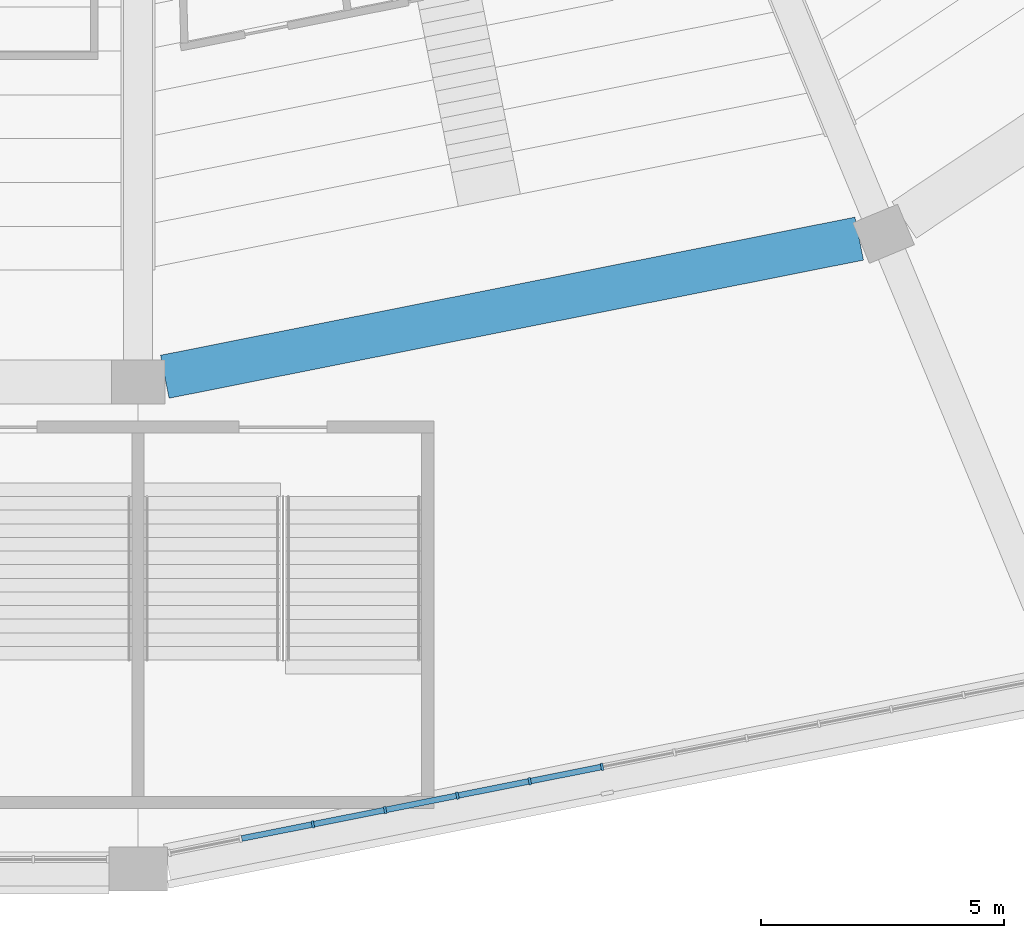
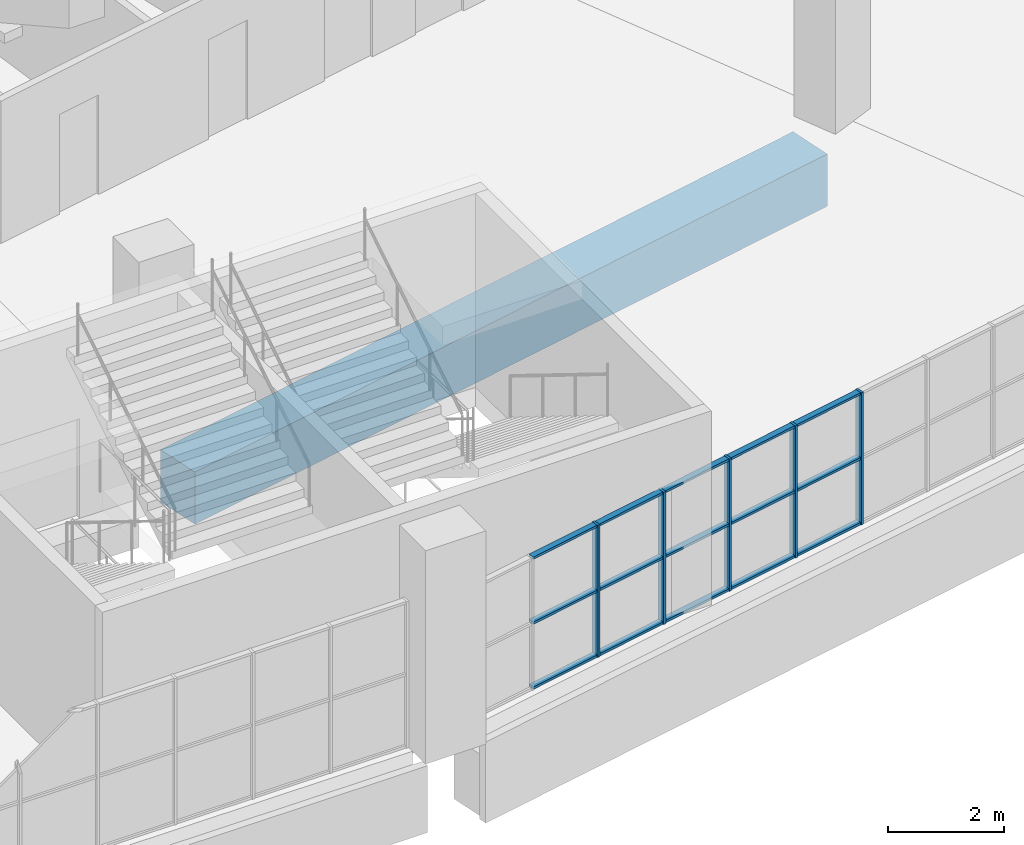
# One storey, part 16 of 249: 20 members, 1 beam, 1 element without a shape of its own.
"""IFC4 building model written with IfcOpenShell, lengths in metres."""

from ifc_helpers import new_model, si_unit, direction, frame, origin, origin_2d, place, context, subcontext, project, spatial, rectangle, extrude, material, material_profile, profile_set, type_object, element, aggregate, save


model = new_model("IFC4")

# Units and contexts
model_context = context("Model", 3, precision=1e-05, world=origin(), true_north=direction((0.0, 1.0)))
body_context = subcontext(model_context, "Body", "Model", "MODEL_VIEW")
ifc_project = project(units=[si_unit("LENGTHUNIT", "METRE"), si_unit("AREAUNIT", "SQUARE_METRE"), si_unit("VOLUMEUNIT", "CUBIC_METRE"), si_unit("PLANEANGLEUNIT", "RADIAN"), si_unit("MASSUNIT", "GRAM", prefix="KILO")], contexts=[model_context])

# Site, building, storey
site_placement = place(None, origin())
site = spatial("IfcSite", under=ifc_project, at=site_placement, CompositionType="ELEMENT")
building_placement = place(site_placement, origin())
building = spatial("IfcBuilding", under=site, at=building_placement, Name="Ogive Plaza Stadium", CompositionType="ELEMENT")
storey_placement = place(building_placement, frame((0.0, 0.0, 13.5)))
storey = spatial("IfcBuildingStorey", under=building, at=storey_placement, Name="L03", CompositionType="ELEMENT", Elevation=13.5)

# Curtain wall, members
ifc_material_1 = material(Name="Bronze-anodised aluminium with laminated glass", Category="aluminium")
curtain_wall_type = type_object("IfcCurtainWallType", Name="Lancet curtain wall", PredefinedType="NOTDEFINED", material=ifc_material_1)
curtain_wall_placement = place(storey_placement, origin())
curtain_wall = element("IfcCurtainWall", 1, at=curtain_wall_placement, inside=storey, type_object=curtain_wall_type, Name="CURTAIN WALL B11 L03", PredefinedType="NOTDEFINED")
ifc_material_2 = material(Name="Bronze-anodised aluminium", Category="aluminium")
ifc_material_profile_1 = material_profile(ifc_material_2, rectangle(XDim=0.14990234375, YDim=0.050048828125, at=origin_2d()), Name="AL 150x50")
ifc_profile_set_1 = profile_set([ifc_material_profile_1], Name="Bronze-anodised aluminium")
member_type_1 = type_object("IfcMemberType", Name="Curtain wall mullion 50x150", PredefinedType="MULLION", material=ifc_profile_set_1)
member_1_placement = place(storey_placement, frame((43.528076171875, -100.40087890625, 0.0), z_axis=(0.0, 0.0, 1.0), x_axis=(0.195090322016, -0.980785280403, 0.0)))
member_1 = element("IfcMember", 2, at=member_1_placement, type_object=member_type_1, Name="CW-B11-L03 mullion 7", PredefinedType="MULLION", context=body_context, shape_type="SweptSolid", body=[
    extrude(rectangle(XDim=0.14990234375, YDim=0.050048828125, at=origin_2d()), origin(), (0.0, 0.0, 1.0), 2.7900390625),
])
member_2_placement = place(storey_placement, frame((42.043212890625, -100.6962890625, 0.0), z_axis=(0.0, 0.0, 1.0), x_axis=(0.195090322016, -0.980785280403, 0.0)))
member_2 = element("IfcMember", 3, at=member_2_placement, type_object=member_type_1, Name="CW-B11-L03 mullion 8", PredefinedType="MULLION", context=body_context, shape_type="SweptSolid", body=[
    extrude(rectangle(XDim=0.14990234375, YDim=0.050048828125, at=origin_2d()), origin(), (0.0, 0.0, 1.0), 2.7900390625),
])
member_3_placement = place(storey_placement, frame((40.55859375, -100.991455078125, 0.0), z_axis=(0.0, 0.0, 1.0), x_axis=(0.195090322016, -0.980785280403, 0.0)))
member_3 = element("IfcMember", 4, at=member_3_placement, type_object=member_type_1, Name="CW-B11-L03 mullion 9", PredefinedType="MULLION", context=body_context, shape_type="SweptSolid", body=[
    extrude(rectangle(XDim=0.14990234375, YDim=0.050048828125, at=origin_2d()), origin(), (0.0, 0.0, 1.0), 2.7900390625),
])
member_4_placement = place(storey_placement, frame((39.07373046875, -101.286865234375, 0.0), z_axis=(0.0, 0.0, 1.0), x_axis=(0.195090322016, -0.980785280403, 0.0)))
member_4 = element("IfcMember", 5, at=member_4_placement, type_object=member_type_1, Name="CW-B11-L03 mullion 10", PredefinedType="MULLION", context=body_context, shape_type="SweptSolid", body=[
    extrude(rectangle(XDim=0.14990234375, YDim=0.050048828125, at=origin_2d()), origin(), (0.0, 0.0, 1.0), 2.7900390625),
])
member_5_placement = place(storey_placement, frame((37.589111328125, -101.582275390625, 0.0), z_axis=(0.0, 0.0, 1.0), x_axis=(0.195090322016, -0.980785280403, 0.0)))
member_5 = element("IfcMember", 6, at=member_5_placement, type_object=member_type_1, Name="CW-B11-L03 mullion 11", PredefinedType="MULLION", context=body_context, shape_type="SweptSolid", body=[
    extrude(rectangle(XDim=0.14990234375, YDim=0.050048828125, at=origin_2d()), origin(), (0.0, 0.0, 1.0), 2.7900390625),
])
ifc_material_3 = material(Name="Bronze-anodised aluminium", Category="aluminium")
ifc_material_profile_2 = material_profile(ifc_material_3, rectangle(XDim=0.1201171875, YDim=0.050048828125, at=origin_2d()), Name="AL 120x50")
ifc_profile_set_2 = profile_set([ifc_material_profile_2], Name="Bronze-anodised aluminium")
member_type_2 = type_object("IfcMemberType", Name="Curtain wall transom 50x120", PredefinedType="USERDEFINED", material=ifc_profile_set_2)
member_6_placement = place(storey_placement, frame((43.503662109375, -100.40576171875, 0.02490234375), z_axis=(-0.980779013771, -0.195121823859, 0.0), x_axis=(0.195121823859, -0.980779013771, 0.0)))
member_6 = element("IfcMember", 7, at=member_6_placement, type_object=member_type_2, Name="CW-B11-L03 transom 7.1", ObjectType="TRANSOM", PredefinedType="USERDEFINED", context=body_context, shape_type="SweptSolid", body=[
    extrude(rectangle(XDim=0.1201171875, YDim=0.050048828125, at=origin_2d()), origin(), (0.0, 0.0, 1.0), 1.4638671875),
])
member_7_placement = place(storey_placement, frame((43.503662109375, -100.40576171875, 1.39501953125), z_axis=(-0.980779013771, -0.195121823859, 0.0), x_axis=(0.195121823859, -0.980779013771, 0.0)))
member_7 = element("IfcMember", 8, at=member_7_placement, type_object=member_type_2, Name="CW-B11-L03 transom 7.2", ObjectType="TRANSOM", PredefinedType="USERDEFINED", context=body_context, shape_type="SweptSolid", body=[
    extrude(rectangle(XDim=0.1201171875, YDim=0.050048828125, at=origin_2d()), origin(), (0.0, 0.0, 1.0), 1.4638671875),
])
member_8_placement = place(storey_placement, frame((43.503662109375, -100.40576171875, 2.764892578125), z_axis=(-0.980779013771, -0.195121823859, 0.0), x_axis=(0.195121823859, -0.980779013771, 0.0)))
member_8 = element("IfcMember", 9, at=member_8_placement, type_object=member_type_2, Name="CW-B11-L03 transom 7.3", ObjectType="TRANSOM", PredefinedType="USERDEFINED", context=body_context, shape_type="SweptSolid", body=[
    extrude(rectangle(XDim=0.1201171875, YDim=0.050048828125, at=origin_2d()), origin(), (0.0, 0.0, 1.0), 1.4638671875),
])
member_9_placement = place(storey_placement, frame((42.018798828125, -100.700927734375, 0.02490234375), z_axis=(-0.980779013771, -0.195121823859, 0.0), x_axis=(0.195121823859, -0.980779013771, 0.0)))
member_9 = element("IfcMember", 10, at=member_9_placement, type_object=member_type_2, Name="CW-B11-L03 transom 8.1", ObjectType="TRANSOM", PredefinedType="USERDEFINED", context=body_context, shape_type="SweptSolid", body=[
    extrude(rectangle(XDim=0.1201171875, YDim=0.050048828125, at=origin_2d()), origin(), (0.0, 0.0, 1.0), 1.4638671875),
])
member_10_placement = place(storey_placement, frame((42.018798828125, -100.700927734375, 1.39501953125), z_axis=(-0.980779013771, -0.195121823859, 0.0), x_axis=(0.195121823859, -0.980779013771, 0.0)))
member_10 = element("IfcMember", 11, at=member_10_placement, type_object=member_type_2, Name="CW-B11-L03 transom 8.2", ObjectType="TRANSOM", PredefinedType="USERDEFINED", context=body_context, shape_type="SweptSolid", body=[
    extrude(rectangle(XDim=0.1201171875, YDim=0.050048828125, at=origin_2d()), origin(), (0.0, 0.0, 1.0), 1.4638671875),
])
member_11_placement = place(storey_placement, frame((42.018798828125, -100.700927734375, 2.764892578125), z_axis=(-0.980779013771, -0.195121823859, 0.0), x_axis=(0.195121823859, -0.980779013771, 0.0)))
member_11 = element("IfcMember", 12, at=member_11_placement, type_object=member_type_2, Name="CW-B11-L03 transom 8.3", ObjectType="TRANSOM", PredefinedType="USERDEFINED", context=body_context, shape_type="SweptSolid", body=[
    extrude(rectangle(XDim=0.1201171875, YDim=0.050048828125, at=origin_2d()), origin(), (0.0, 0.0, 1.0), 1.4638671875),
])
member_12_placement = place(storey_placement, frame((40.533935546875, -100.996337890625, 0.02490234375), z_axis=(-0.980772662828, -0.195153744134, 0.0), x_axis=(0.195153744134, -0.980772662828, 0.0)))
member_12 = element("IfcMember", 13, at=member_12_placement, type_object=member_type_2, Name="CW-B11-L03 transom 9.1", ObjectType="TRANSOM", PredefinedType="USERDEFINED", context=body_context, shape_type="SweptSolid", body=[
    extrude(rectangle(XDim=0.1201171875, YDim=0.050048828125, at=origin_2d()), origin(), (0.0, 0.0, 1.0), 1.463623046875),
])
member_13_placement = place(storey_placement, frame((40.533935546875, -100.996337890625, 1.39501953125), z_axis=(-0.980772662828, -0.195153744134, 0.0), x_axis=(0.195153744134, -0.980772662828, 0.0)))
member_13 = element("IfcMember", 14, at=member_13_placement, type_object=member_type_2, Name="CW-B11-L03 transom 9.2", ObjectType="TRANSOM", PredefinedType="USERDEFINED", context=body_context, shape_type="SweptSolid", body=[
    extrude(rectangle(XDim=0.1201171875, YDim=0.050048828125, at=origin_2d()), origin(), (0.0, 0.0, 1.0), 1.463623046875),
])
member_14_placement = place(storey_placement, frame((40.533935546875, -100.996337890625, 2.764892578125), z_axis=(-0.980772662828, -0.195153744134, 0.0), x_axis=(0.195153744134, -0.980772662828, 0.0)))
member_14 = element("IfcMember", 15, at=member_14_placement, type_object=member_type_2, Name="CW-B11-L03 transom 9.3", ObjectType="TRANSOM", PredefinedType="USERDEFINED", context=body_context, shape_type="SweptSolid", body=[
    extrude(rectangle(XDim=0.1201171875, YDim=0.050048828125, at=origin_2d()), origin(), (0.0, 0.0, 1.0), 1.463623046875),
])
member_15_placement = place(storey_placement, frame((39.04931640625, -101.291748046875, 0.02490234375), z_axis=(-0.980779013771, -0.195121823859, 0.0), x_axis=(0.195121823859, -0.980779013771, 0.0)))
member_15 = element("IfcMember", 16, at=member_15_placement, type_object=member_type_2, Name="CW-B11-L03 transom 10.1", ObjectType="TRANSOM", PredefinedType="USERDEFINED", context=body_context, shape_type="SweptSolid", body=[
    extrude(rectangle(XDim=0.1201171875, YDim=0.050048828125, at=origin_2d()), origin(), (0.0, 0.0, 1.0), 1.4638671875),
])
member_16_placement = place(storey_placement, frame((39.04931640625, -101.291748046875, 1.39501953125), z_axis=(-0.980779013771, -0.195121823859, 0.0), x_axis=(0.195121823859, -0.980779013771, 0.0)))
member_16 = element("IfcMember", 17, at=member_16_placement, type_object=member_type_2, Name="CW-B11-L03 transom 10.2", ObjectType="TRANSOM", PredefinedType="USERDEFINED", context=body_context, shape_type="SweptSolid", body=[
    extrude(rectangle(XDim=0.1201171875, YDim=0.050048828125, at=origin_2d()), origin(), (0.0, 0.0, 1.0), 1.4638671875),
])
member_17_placement = place(storey_placement, frame((39.04931640625, -101.291748046875, 2.764892578125), z_axis=(-0.980779013771, -0.195121823859, 0.0), x_axis=(0.195121823859, -0.980779013771, 0.0)))
member_17 = element("IfcMember", 18, at=member_17_placement, type_object=member_type_2, Name="CW-B11-L03 transom 10.3", ObjectType="TRANSOM", PredefinedType="USERDEFINED", context=body_context, shape_type="SweptSolid", body=[
    extrude(rectangle(XDim=0.1201171875, YDim=0.050048828125, at=origin_2d()), origin(), (0.0, 0.0, 1.0), 1.4638671875),
])
member_18_placement = place(storey_placement, frame((37.564453125, -101.587158203125, 0.02490234375), z_axis=(-0.980804576136, -0.194993290732, 0.0), x_axis=(0.194993290732, -0.980804576136, 0.0)))
member_18 = element("IfcMember", 19, at=member_18_placement, type_object=member_type_2, Name="CW-B11-L03 transom 11.1", ObjectType="TRANSOM", PredefinedType="USERDEFINED", context=body_context, shape_type="SweptSolid", body=[
    extrude(rectangle(XDim=0.1201171875, YDim=0.050048828125, at=origin_2d()), origin(), (0.0, 0.0, 1.0), 1.463623046875),
])
member_19_placement = place(storey_placement, frame((37.564453125, -101.587158203125, 1.39501953125), z_axis=(-0.980804576136, -0.194993290732, 0.0), x_axis=(0.194993290732, -0.980804576136, 0.0)))
member_19 = element("IfcMember", 20, at=member_19_placement, type_object=member_type_2, Name="CW-B11-L03 transom 11.2", ObjectType="TRANSOM", PredefinedType="USERDEFINED", context=body_context, shape_type="SweptSolid", body=[
    extrude(rectangle(XDim=0.1201171875, YDim=0.050048828125, at=origin_2d()), origin(), (0.0, 0.0, 1.0), 1.463623046875),
])
member_20_placement = place(storey_placement, frame((37.564453125, -101.587158203125, 2.764892578125), z_axis=(-0.980804576136, -0.194993290732, 0.0), x_axis=(0.194993290732, -0.980804576136, 0.0)))
member_20 = element("IfcMember", 21, at=member_20_placement, type_object=member_type_2, Name="CW-B11-L03 transom 11.3", ObjectType="TRANSOM", PredefinedType="USERDEFINED", context=body_context, shape_type="SweptSolid", body=[
    extrude(rectangle(XDim=0.1201171875, YDim=0.050048828125, at=origin_2d()), origin(), (0.0, 0.0, 1.0), 1.463623046875),
])
aggregate(curtain_wall, [member_1, member_2, member_3, member_4, member_5, member_6, member_7, member_8, member_9, member_10, member_11, member_12, member_13, member_14, member_15, member_16, member_17, member_18, member_19, member_20])

# Beam
ifc_material_4 = material(Name="Concrete C40/50", Category="concrete")
ifc_material_profile_3 = material_profile(ifc_material_4, rectangle(XDim=0.89990234375, YDim=1.10009765625, at=origin_2d()), Name="RC 900x1100")
ifc_profile_set_3 = profile_set([ifc_material_profile_3], Name="Concrete C40/50")
beam_type = type_object("IfcBeamType", Name="RC ring beam 900x1100", PredefinedType="BEAM", material=ifc_profile_set_3)
beam_placement = place(storey_placement, frame((48.807373046875, -89.5546875, -0.9599609375), z_axis=(-0.980785551724, -0.195088957992, 0.0), x_axis=(0.195088957992, -0.980785551724, 0.0)))
element("IfcBeam", 22, at=beam_placement, inside=storey, type_object=beam_type, Name="Ring beam F4 L03 B11", PredefinedType="BEAM", context=body_context, shape_type="SweptSolid", body=[
    extrude(rectangle(XDim=0.89990234375, YDim=1.10009765625, at=origin_2d()), origin(), (0.0, 0.0, 1.0), 14.53662109375),
])

save(model, "model.ifc")
